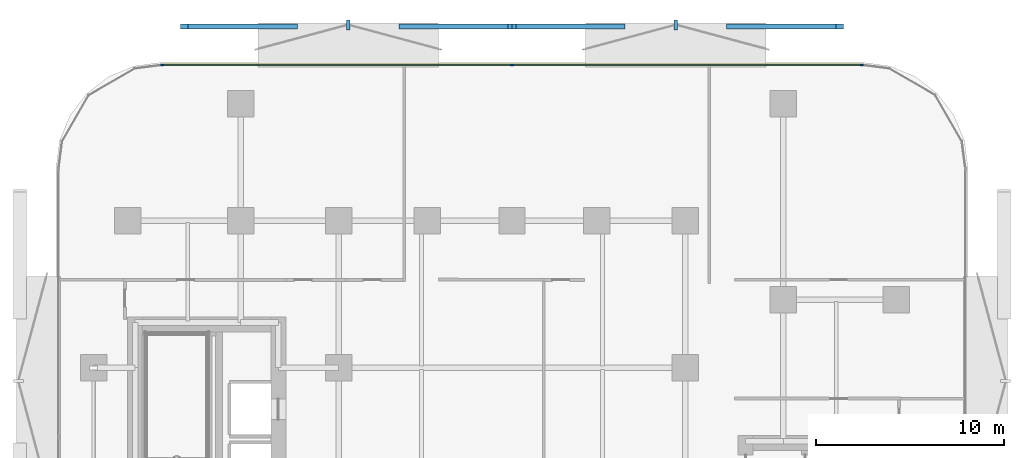
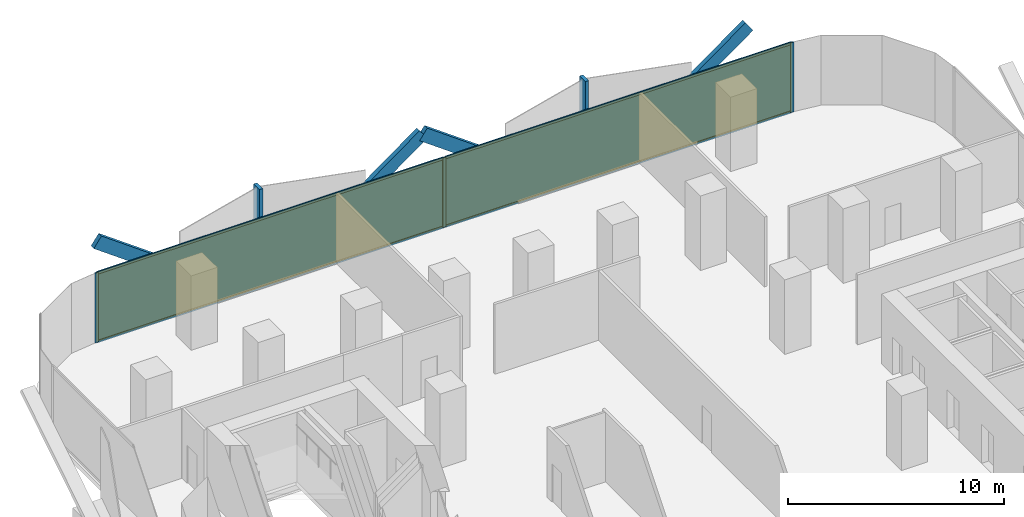
# One storey, part 10 of 15: 13 members, 2 plates, 1 curtain wall.
"""IFC4 building model written with IfcOpenShell, lengths in metres."""

import ifcopenshell
import ifcopenshell.guid

model = None  # the IFC model being written
_history = None  # IfcOwnerHistory: only IFC2X3 demands one
_inside = {}  # id of a spatial element -> (the spatial element, [elements in it])
_under = {}  # id of a project, library or spatial element -> (it, [spatial elements below it])
_declared = {}  # id of a project -> (the project, [libraries it declares])
_typed = {}  # id of a type object -> (the type object, [elements of that type])
_made_of = {}  # id of a material, layer set ... -> (it, [elements and type objects made of it])


def new_model(schema):
    """Start an empty IFC model of exactly this schema.

    Asked for "IFC4X3", IfcOpenShell would pick the latest addendum, in which some entities
    have other attributes; the version numbers below select the first issue.
    IFC2X3 requires an IfcOwnerHistory on every rooted entity: one is made here for all.
    """
    global model, _history
    if schema == "IFC4X3":
        model = ifcopenshell.file(schema_version=(4, 3, 0, 0))
    else:
        model = ifcopenshell.file(schema=schema)
    _inside.clear()
    _under.clear()
    _declared.clear()
    _typed.clear()
    _made_of.clear()
    _history = None
    if model.schema == "IFC2X3":
        org = make("IfcOrganization", Name="unknown")
        user = make(
            "IfcPersonAndOrganization",
            ThePerson=make("IfcPerson", FamilyName="unknown"),
            TheOrganization=org,
        )
        app = make(
            "IfcApplication",
            ApplicationDeveloper=org,
            Version="unknown",
            ApplicationFullName="unknown",
            ApplicationIdentifier="unknown",
        )
        _history = make(
            "IfcOwnerHistory",
            OwningUser=user,
            OwningApplication=app,
            ChangeAction="ADDED",
            CreationDate=0,
        )
    return model


def make(cls, **values):
    """One entity of the class cls with the attributes given. An attribute that is None is left unset."""
    return model.create_entity(
        cls, **{name: value for name, value in values.items() if value is not None}
    )


def rooted(cls, **values):
    """An entity with a GlobalId (a new one), such as an element, a storey or a relation."""
    return make(cls, GlobalId=ifcopenshell.guid.new(), OwnerHistory=_history, **values)


def si_unit(unit_type, name, prefix=None):
    """IfcSIUnit, for example si_unit("LENGTHUNIT", "METRE", prefix="MILLI")."""
    return make("IfcSIUnit", UnitType=unit_type, Prefix=prefix, Name=name)


def assignment(units):
    """IfcUnitAssignment: the units of a project."""
    return None if units is None else make("IfcUnitAssignment", Units=units)


def point(xyz):
    """IfcCartesianPoint."""
    return None if xyz is None else make("IfcCartesianPoint", Coordinates=xyz)


def direction(xyz):
    """IfcDirection."""
    return None if xyz is None else make("IfcDirection", DirectionRatios=xyz)


def frame(location, z_axis=None, x_axis=None):
    """IfcAxis2Placement3D, a coordinate frame: its origin and axes. An axis left out is left unset."""
    return make(
        "IfcAxis2Placement3D",
        Location=point(location),
        Axis=direction(z_axis),
        RefDirection=direction(x_axis),
    )


def frame_2d(location, x_axis=None):
    """IfcAxis2Placement2D, a coordinate frame in the plane: its origin and x axis."""
    return make(
        "IfcAxis2Placement2D", Location=point(location), RefDirection=direction(x_axis)
    )


def origin():
    """The frame at (0, 0, 0) with its axes left unset."""
    return frame((0.0, 0.0, 0.0))


def origin_2d():
    """The frame at (0, 0) in the plane with its x axis left unset."""
    return frame_2d((0.0, 0.0))


def place(relative_to, where):
    """IfcLocalPlacement: puts the frame where relative to a parent placement (None: the world)."""
    return make(
        "IfcLocalPlacement", PlacementRelTo=relative_to, RelativePlacement=where
    )


def context(
    kind, dimensions, precision=None, world=None, true_north=None, identifier=None
):
    """IfcGeometricRepresentationContext, for example the 3D "Model" context."""
    return make(
        "IfcGeometricRepresentationContext",
        ContextIdentifier=identifier,
        ContextType=kind,
        CoordinateSpaceDimension=dimensions,
        Precision=precision,
        WorldCoordinateSystem=world,
        TrueNorth=true_north,
    )


def subcontext(parent, identifier, kind, view, scale=None):
    """IfcGeometricRepresentationSubContext, for example "Body" below "Model"."""
    return make(
        "IfcGeometricRepresentationSubContext",
        ContextIdentifier=identifier,
        ContextType=kind,
        ParentContext=parent,
        TargetScale=scale,
        TargetView=view,
    )


def project(units=None, contexts=None):
    """IfcProject with its units and contexts."""
    return rooted(
        "IfcProject",
        Name="project",
        RepresentationContexts=contexts,
        UnitsInContext=assignment(units),
    )


def spatial(cls, under=None, at=None, **own):
    """A site, building, storey or space (cls), placed at a placement, below another one or the project."""
    s = rooted(cls, ObjectPlacement=at, **own)
    if under is not None:
        _under.setdefault(under.id(), (under, []))[1].append(s)
    return s


def profile(cls, at=None, kind="AREA", **sizes):
    """A parametric profile (cls). Its sizes go by their IFC names, for example OverallWidth=200.0."""
    return make(cls, ProfileType=kind, Position=at, **sizes)


def rectangle(**sizes):
    """IfcRectangleProfileDef."""
    return profile("IfcRectangleProfileDef", **sizes)


def extrude(swept, where, along, depth):
    """IfcExtrudedAreaSolid: the profile swept, set in the frame where, extruded along a direction by depth."""
    return make(
        "IfcExtrudedAreaSolid",
        SweptArea=swept,
        Position=where,
        ExtrudedDirection=direction(along),
        Depth=depth,
    )


def shape(context_of_items, identifier, shape_type, items):
    """IfcShapeRepresentation: the items that make up one representation, for example the "Body"."""
    return make(
        "IfcShapeRepresentation",
        ContextOfItems=context_of_items,
        RepresentationIdentifier=identifier,
        RepresentationType=shape_type,
        Items=items,
    )


def material(Name=None, Category=None):
    """IfcMaterial."""
    return make("IfcMaterial", Name=Name, Category=Category)


def layer(
    of_material, thickness, ventilated=None, Name=None, Category=None, Priority=None
):
    """IfcMaterialLayer: one layer of a wall or slab, of a material (None: an air gap)."""
    return make(
        "IfcMaterialLayer",
        Material=of_material,
        LayerThickness=thickness,
        IsVentilated=ventilated,
        Name=Name,
        Category=Category,
        Priority=Priority,
    )


def layer_set(layers, Name=None):
    """IfcMaterialLayerSet."""
    return make("IfcMaterialLayerSet", MaterialLayers=layers, LayerSetName=Name)


def material_profile(
    of_material, cross_section, Name=None, Category=None, Priority=None
):
    """IfcMaterialProfile: a cross section and its material."""
    return make(
        "IfcMaterialProfile",
        Name=Name,
        Material=of_material,
        Profile=cross_section,
        Priority=Priority,
        Category=Category,
    )


def profile_set(profiles, Name=None, composite=None):
    """IfcMaterialProfileSet."""
    return make(
        "IfcMaterialProfileSet",
        Name=Name,
        MaterialProfiles=profiles,
        CompositeProfile=composite,
    )


def made_of(thing, what):
    """Note that an element or type object is made of a material, layer set ...; save() writes the relation."""
    if what is not None:
        _made_of.setdefault(what.id(), (what, []))[1].append(thing)
    return thing


def type_object(cls, material=None, **own):
    """A type object (cls), such as IfcWallType, which elements share."""
    return made_of(rooted(cls, **own), material)


def element(
    cls,
    number,
    at=None,
    inside=None,
    cuts=None,
    type_object=None,
    material=None,
    context=None,
    identifier="Body",
    shape_type=None,
    held_by="IfcProductDefinitionShape",
    body=None,
    shapes=None,
    **own,
):
    """One element of the class cls, such as IfcWall. Its Tag is "e" and its number.

    at: its placement. inside: the storey or other place that contains it. cuts: it is an
    opening in that element (IfcRelVoidsElement). A single representation is given by context,
    identifier, shape_type and body (its items); several are given by shapes. held_by: the class
    of the entity that holds the representations. save() writes the other relations.
    """
    e = rooted(cls, Tag="e%d" % number, ObjectPlacement=at, **own)
    if body is not None:
        shapes = [shape(context, identifier, shape_type, body)]
    if shapes is not None:
        e.Representation = make(held_by, Representations=shapes)
    if inside is not None:
        _inside.setdefault(inside.id(), (inside, []))[1].append(e)
    if cuts is not None:
        rooted(
            "IfcRelVoidsElement", RelatingBuildingElement=cuts, RelatedOpeningElement=e
        )
    if type_object is not None:
        _typed.setdefault(type_object.id(), (type_object, []))[1].append(e)
    return made_of(e, material)


def aggregate(whole, parts):
    """IfcRelAggregates: a whole, such as a stair, and the parts it consists of."""
    return rooted("IfcRelAggregates", RelatingObject=whole, RelatedObjects=parts)


def save(model, path):
    """Write the relations noted so far, then the file.

    IfcRelAggregates (storeys below a building ...), IfcRelContainedInSpatialStructure (elements
    in a storey), IfcRelDefinesByType, IfcRelAssociatesMaterial and IfcRelDeclares: one each for
    every whole, place, type object, material and project.
    """
    for whole, parts in _under.values():
        aggregate(whole, parts)
    for where, things in _inside.values():
        rooted(
            "IfcRelContainedInSpatialStructure",
            RelatedElements=things,
            RelatingStructure=where,
        )
    for kind, things in _typed.values():
        rooted("IfcRelDefinesByType", RelatedObjects=things, RelatingType=kind)
    for what, things in _made_of.values():
        rooted("IfcRelAssociatesMaterial", RelatedObjects=things, RelatingMaterial=what)
    for by, libraries in _declared.values():
        rooted("IfcRelDeclares", RelatingContext=by, RelatedDefinitions=libraries)
    model.write(path)


model = new_model("IFC4")

# Units and contexts
model_context = context("Model", 3, precision=1e-05, world=origin(), true_north=direction((0.0, 1.0)))
body_context = subcontext(model_context, "Body", "Model", "MODEL_VIEW")
ifc_project = project(units=[si_unit("LENGTHUNIT", "METRE"), si_unit("AREAUNIT", "SQUARE_METRE"), si_unit("VOLUMEUNIT", "CUBIC_METRE"), si_unit("PLANEANGLEUNIT", "RADIAN"), si_unit("MASSUNIT", "GRAM", prefix="KILO")], contexts=[model_context])

# Member
ifc_material_1 = material(Name="Anodised Bronze Aluminium 6063-T6", Category="aluminium")
ifc_material_profile_1 = material_profile(ifc_material_1, rectangle(XDim=0.260009765625, YDim=0.699951171875, at=origin_2d()))
ifc_profile_set_1 = profile_set([ifc_material_profile_1], Name="Anodised Bronze Aluminium 6063-T6")
member_type_1 = type_object("IfcMemberType", Name="Bronze Diamond Solar-Screen Lattice Rib BDL-700", PredefinedType="MULLION", material=ifc_profile_set_1)
site_placement = place(None, origin())
building_placement = place(site_placement, origin())
storey_placement = place(building_placement, frame((0.0, 0.0, 72.199951171875)))
member_1_placement = place(storey_placement, frame((-5.796875, 28.89990234375, -0.1298828125), z_axis=(0.80979516686, 0.0, 0.58671269607), x_axis=(0.0, 1.0, 0.0)))
member_1 = element("IfcMember", 1, at=member_1_placement, type_object=member_type_1, Name="L17 Bronze Diamond Solar Screen Lattice Rib 93A", PredefinedType="MULLION", context=body_context, shape_type="SweptSolid", body=[
    extrude(rectangle(XDim=0.260009765625, YDim=0.699951171875, at=origin_2d()), origin(), (0.0, 0.0, 1.0), 7.158447265625),
])

member_2_placement = place(storey_placement, frame((-11.593994140625, 28.89990234375, -0.1298828125), z_axis=(-0.80979516686, 0.0, 0.58671269607), x_axis=(0.0, -1.0, 0.0)))
member_2 = element("IfcMember", 2, at=member_2_placement, type_object=member_type_1, Name="L17 Bronze Diamond Solar Screen Lattice Rib 93B", PredefinedType="MULLION", context=body_context, shape_type="SweptSolid", body=[
    extrude(rectangle(XDim=0.260009765625, YDim=0.699951171875, at=origin_2d()), origin(), (0.0, 0.0, 1.0), 7.158447265625),
])

member_3_placement = place(storey_placement, frame((11.593994140625, 28.89990234375, -0.1298828125), z_axis=(0.80979516686, 0.0, 0.58671269607), x_axis=(0.0, 1.0, 0.0)))
member_3 = element("IfcMember", 3, at=member_3_placement, type_object=member_type_1, Name="L17 Bronze Diamond Solar Screen Lattice Rib 94A", PredefinedType="MULLION", context=body_context, shape_type="SweptSolid", body=[
    extrude(rectangle(XDim=0.260009765625, YDim=0.699951171875, at=origin_2d()), origin(), (0.0, 0.0, 1.0), 7.158447265625),
])

member_4_placement = place(storey_placement, frame((5.796875, 28.89990234375, -0.1298828125), z_axis=(-0.80979516686, 0.0, 0.58671269607), x_axis=(0.0, -1.0, 0.0)))
member_4 = element("IfcMember", 4, at=member_4_placement, type_object=member_type_1, Name="L17 Bronze Diamond Solar Screen Lattice Rib 94B", PredefinedType="MULLION", context=body_context, shape_type="SweptSolid", body=[
    extrude(rectangle(XDim=0.260009765625, YDim=0.699951171875, at=origin_2d()), origin(), (0.0, 0.0, 1.0), 7.158447265625),
])

ifc_material_2 = material(Name="Anodised Bronze Aluminium 6063-T6", Category="aluminium")
ifc_material_profile_2 = material_profile(ifc_material_2, rectangle(XDim=0.179931640625, YDim=0.5400390625, at=origin_2d()))
ifc_profile_set_2 = profile_set([ifc_material_profile_2], Name="Anodised Bronze Aluminium 6063-T6")
member_type_2 = type_object("IfcMemberType", Name="Bronze Solar-Screen Vertical Fold Fin BSF-540", PredefinedType="MULLION", material=ifc_profile_set_2)
member_5_placement = place(storey_placement, frame((-8.6953125, 28.97998046875, -0.1298828125), z_axis=(0.0, 0.0, 1.0), x_axis=(1.0, 0.0, 0.0)))
member_5 = element("IfcMember", 5, at=member_5_placement, type_object=member_type_2, Name="L17 Bronze Solar Screen Vertical Fin 93", PredefinedType="MULLION", context=body_context, shape_type="SweptSolid", body=[
    extrude(rectangle(XDim=0.179931640625, YDim=0.5400390625, at=origin_2d()), origin(), (0.0, 0.0, 1.0), 4.199951171875),
])

member_6_placement = place(storey_placement, frame((8.6953125, 28.97998046875, -0.1298828125), z_axis=(0.0, 0.0, 1.0), x_axis=(1.0, 0.0, 0.0)))
member_6 = element("IfcMember", 6, at=member_6_placement, type_object=member_type_2, Name="L17 Bronze Solar Screen Vertical Fin 94", PredefinedType="MULLION", context=body_context, shape_type="SweptSolid", body=[
    extrude(rectangle(XDim=0.179931640625, YDim=0.5400390625, at=origin_2d()), origin(), (0.0, 0.0, 1.0), 4.199951171875),
])

ifc_material_3 = material(Name="Anodised Bronze Aluminium 6063-T6", Category="aluminium")
ifc_material_profile_3 = material_profile(ifc_material_3, rectangle(XDim=0.06494140625, YDim=0.179931640625, at=origin_2d()))
ifc_profile_set_3 = profile_set([ifc_material_profile_3], Name="Anodised Bronze Aluminium 6063-T6")
member_type_3 = type_object("IfcMemberType", Name="CW-Z1 Mullion 65x180", PredefinedType="MULLION", material=ifc_profile_set_3)
member_7_placement = place(storey_placement, frame((-18.558349609375, 26.860107421875, 0.0), z_axis=(0.0, 0.0, 1.0), x_axis=(0.0, 1.0, 0.0)))
member_7 = element("IfcMember", 7, at=member_7_placement, type_object=member_type_3, Name="CW-Z1 mullion 1", PredefinedType="MULLION", context=body_context, shape_type="SweptSolid", body=[
    extrude(rectangle(XDim=0.06494140625, YDim=0.179931640625, at=origin_2d()), origin(), (0.0, 0.0, 1.0), 3.93994140625),
])

member_8_placement = place(storey_placement, frame((0.0, 26.860107421875, 0.0), z_axis=(0.0, 0.0, 1.0), x_axis=(0.0, 1.0, 0.0)))
member_8 = element("IfcMember", 8, at=member_8_placement, type_object=member_type_3, Name="CW-Z1 mullion 2", PredefinedType="MULLION", context=body_context, shape_type="SweptSolid", body=[
    extrude(rectangle(XDim=0.06494140625, YDim=0.179931640625, at=origin_2d()), origin(), (0.0, 0.0, 1.0), 3.93994140625),
])

member_9_placement = place(storey_placement, frame((18.558349609375, 26.860107421875, 0.0), z_axis=(0.0, 0.0, 1.0), x_axis=(0.0, 1.0, 0.0)))
member_9 = element("IfcMember", 9, at=member_9_placement, type_object=member_type_3, Name="CW-Z1 mullion 3", PredefinedType="MULLION", context=body_context, shape_type="SweptSolid", body=[
    extrude(rectangle(XDim=0.06494140625, YDim=0.179931640625, at=origin_2d()), origin(), (0.0, 0.0, 1.0), 3.93994140625),
])

ifc_material_4 = material(Name="Anodised Bronze Aluminium 6063-T6", Category="aluminium")
ifc_material_profile_4 = material_profile(ifc_material_4, rectangle(XDim=0.06494140625, YDim=0.139892578125, at=origin_2d()))
ifc_profile_set_4 = profile_set([ifc_material_profile_4], Name="Anodised Bronze Aluminium 6063-T6")
member_type_4 = type_object("IfcMemberType", Name="CW-Z1 Transom 65x140", PredefinedType="USERDEFINED", material=ifc_profile_set_4)
member_10_placement = place(storey_placement, frame((-18.52587890625, 26.860107421875, 0.032470703125), z_axis=(1.0, 0.0, 0.0), x_axis=(0.0, 1.0, 0.0)))
member_10 = element("IfcMember", 10, at=member_10_placement, type_object=member_type_4, Name="CW-Z1 transom 1.1", ObjectType="TRANSOM", PredefinedType="USERDEFINED", context=body_context, shape_type="SweptSolid", body=[
    extrude(rectangle(XDim=0.06494140625, YDim=0.139892578125, at=origin_2d()), origin(), (0.0, 0.0, 1.0), 18.493408203125),
])

member_11_placement = place(storey_placement, frame((-18.52587890625, 26.860107421875, 3.907470703125), z_axis=(1.0, 0.0, 0.0), x_axis=(0.0, 1.0, 0.0)))
member_11 = element("IfcMember", 11, at=member_11_placement, type_object=member_type_4, Name="CW-Z1 transom 1.2", ObjectType="TRANSOM", PredefinedType="USERDEFINED", context=body_context, shape_type="SweptSolid", body=[
    extrude(rectangle(XDim=0.06494140625, YDim=0.139892578125, at=origin_2d()), origin(), (0.0, 0.0, 1.0), 18.493408203125),
])

member_12_placement = place(storey_placement, frame((0.032470703125, 26.860107421875, 0.032470703125), z_axis=(1.0, 0.0, 0.0), x_axis=(0.0, 1.0, 0.0)))
member_12 = element("IfcMember", 12, at=member_12_placement, type_object=member_type_4, Name="CW-Z1 transom 2.1", ObjectType="TRANSOM", PredefinedType="USERDEFINED", context=body_context, shape_type="SweptSolid", body=[
    extrude(rectangle(XDim=0.06494140625, YDim=0.139892578125, at=origin_2d()), origin(), (0.0, 0.0, 1.0), 18.493408203125),
])

member_13_placement = place(storey_placement, frame((0.032470703125, 26.860107421875, 3.907470703125), z_axis=(1.0, 0.0, 0.0), x_axis=(0.0, 1.0, 0.0)))
member_13 = element("IfcMember", 13, at=member_13_placement, type_object=member_type_4, Name="CW-Z1 transom 2.2", ObjectType="TRANSOM", PredefinedType="USERDEFINED", context=body_context, shape_type="SweptSolid", body=[
    extrude(rectangle(XDim=0.06494140625, YDim=0.139892578125, at=origin_2d()), origin(), (0.0, 0.0, 1.0), 18.493408203125),
])

# Plate
ifc_material_5 = material(Name="Low-E Solar Control Laminated Glass", Category="glass")
ifc_layer_1 = layer(ifc_material_5, 0.028076171875, Name="Low-E Solar Control Laminated Glass")
ifc_layer_set_1 = layer_set([ifc_layer_1], Name="Low-E Solar Control Laminated Glass")
plate_type = type_object("IfcPlateType", Name="CW-Z1 Low-E Double Glazed Panel 28mm", PredefinedType="CURTAIN_PANEL", material=ifc_layer_set_1)
plate_1_placement = place(storey_placement, frame((-9.279052734375, 26.860107421875, 0.06494140625), z_axis=(0.0, 0.0, 1.0), x_axis=(1.0, 0.0, 0.0)))
plate_1 = element("IfcPlate", 14, at=plate_1_placement, type_object=plate_type, Name="CW-Z1 panel 1.1", PredefinedType="CURTAIN_PANEL", context=body_context, shape_type="SweptSolid", body=[
    extrude(rectangle(XDim=18.493408203125, YDim=0.028076171875, at=origin_2d()), origin(), (0.0, 0.0, 1.0), 3.81005859375),
])

plate_2_placement = place(storey_placement, frame((9.279052734375, 26.860107421875, 0.06494140625), z_axis=(0.0, 0.0, 1.0), x_axis=(1.0, 0.0, 0.0)))
plate_2 = element("IfcPlate", 15, at=plate_2_placement, type_object=plate_type, Name="CW-Z1 panel 2.1", PredefinedType="CURTAIN_PANEL", context=body_context, shape_type="SweptSolid", body=[
    extrude(rectangle(XDim=18.493408203125, YDim=0.028076171875, at=origin_2d()), origin(), (0.0, 0.0, 1.0), 3.81005859375),
])

# Site, building, storey
site = spatial("IfcSite", under=ifc_project, at=site_placement, CompositionType="ELEMENT")
building = spatial("IfcBuilding", under=site, at=building_placement, Name="Khairoan Windgate Tower", CompositionType="ELEMENT")
storey = spatial("IfcBuildingStorey", under=building, at=storey_placement, Name="L17", CompositionType="ELEMENT", Elevation=72.199951171875)

# Curtain wall
ifc_material_6 = material(Name="Anodised Bronze Aluminium 6063-T6", Category="aluminium")
ifc_layer_2 = layer(ifc_material_6, 0.179931640625, Name="Anodised Bronze Aluminium 6063-T6")
ifc_layer_set_2 = layer_set([ifc_layer_2], Name="Anodised Bronze Aluminium 6063-T6")
curtain_wall_type = type_object("IfcCurtainWallType", Name="Low-Rise Office Unitised Curtain Wall CW-Z1", PredefinedType="NOTDEFINED", material=ifc_layer_set_2)
curtain_wall_placement = place(storey_placement, frame((-18.5908203125, 26.860107421875, 0.0), z_axis=(0.0, 0.0, 1.0), x_axis=(1.0, 0.0, 0.0)))
curtain_wall = element("IfcCurtainWall", 16, at=curtain_wall_placement, inside=storey, type_object=curtain_wall_type, Name="L17 Unitised Curtain Wall 11", PredefinedType="NOTDEFINED", context=body_context, shape_type="SweptSolid", body=[
    extrude(rectangle(XDim=37.181640625, YDim=0.010009765625, at=frame_2d((18.5908203125, 0.0))), origin(), (0.0, 0.0, 1.0), 3.93994140625),
])

aggregate(curtain_wall, [member_7, member_8, member_9, member_10, member_11, plate_1, member_12, member_13, plate_2, member_1, member_2, member_5, member_3, member_4, member_6])

save(model, "model.ifc")
